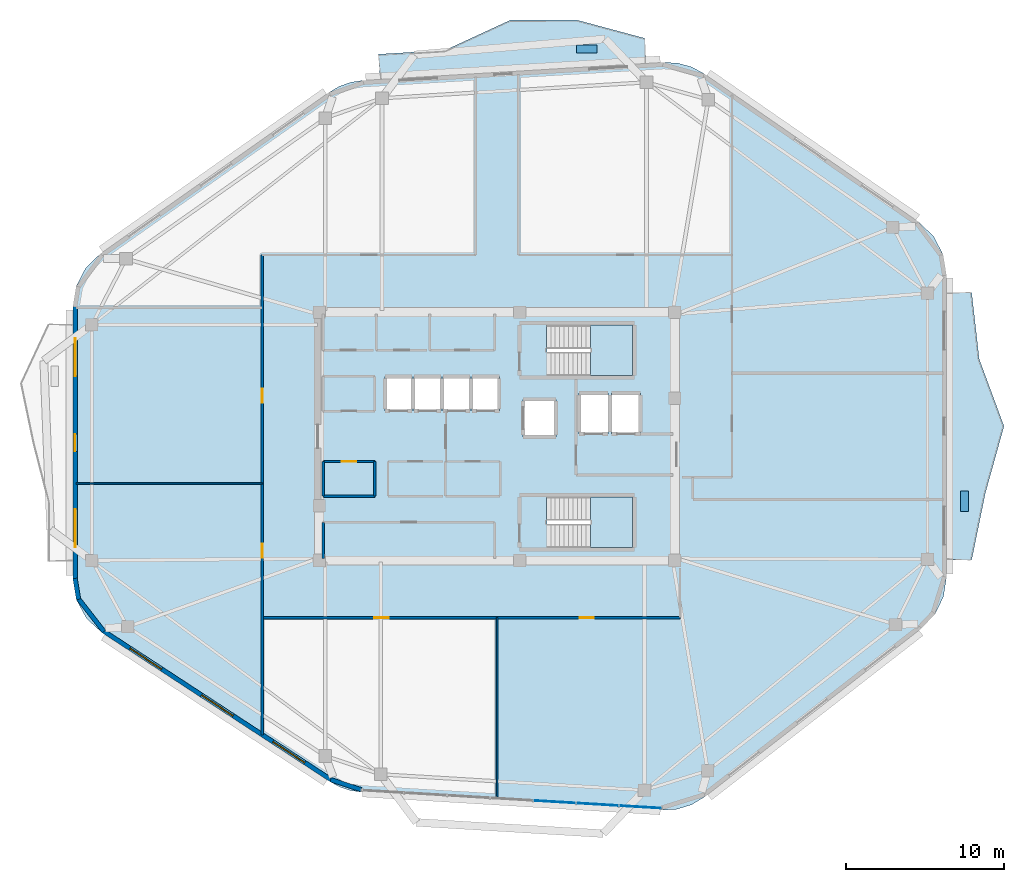
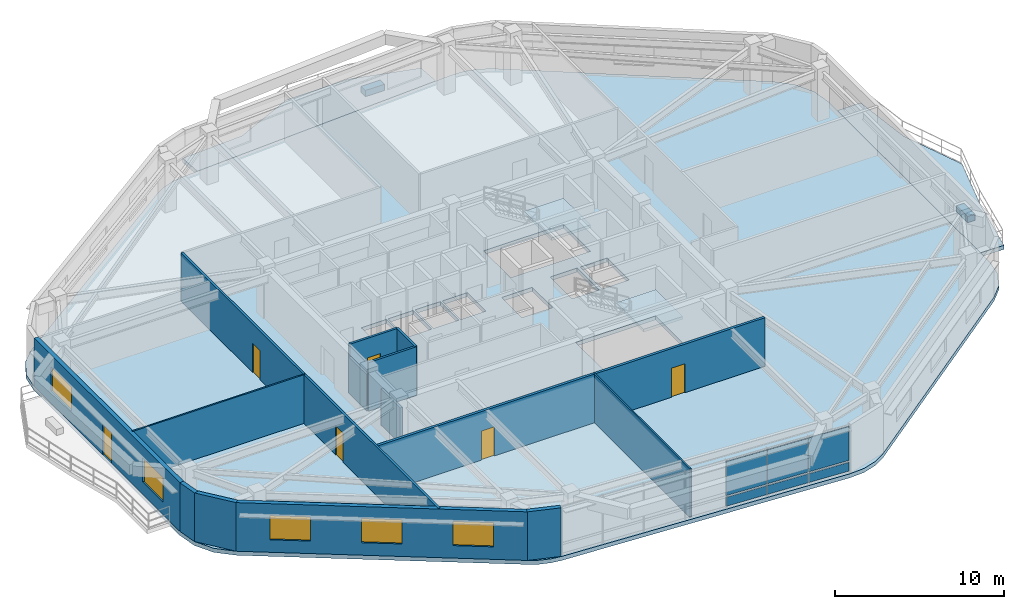
# One storey, part 6 of 12: 14 walls, 8 plates, 6 doors, 5 slabs, 5 windows, 11 openings, 3 elements without a shape of their own.
"""IFC4 building model written with IfcOpenShell, lengths in metres."""

from ifc_helpers import new_model, si_unit, direction, frame, frame_2d, origin, origin_2d, place, context, subcontext, project, spatial, polyline, rectangle, outline, extrude, material, layer, layer_set, type_object, element, fill, aggregate, save


model = new_model("IFC4")

# Units and contexts
model_context = context("Model", 3, precision=1e-05, world=origin(), true_north=direction((0.0, 1.0)))
body_context = subcontext(model_context, "Body", "Model", "MODEL_VIEW")
ifc_project = project(units=[si_unit("LENGTHUNIT", "METRE"), si_unit("AREAUNIT", "SQUARE_METRE"), si_unit("VOLUMEUNIT", "CUBIC_METRE"), si_unit("PLANEANGLEUNIT", "RADIAN"), si_unit("MASSUNIT", "GRAM", prefix="KILO")], contexts=[model_context])

# Site, building, storey
site_placement = place(None, origin())
site = spatial("IfcSite", under=ifc_project, at=site_placement, CompositionType="ELEMENT")
building_placement = place(site_placement, origin())
building = spatial("IfcBuilding", under=site, at=building_placement, Name="Zulverin Broadcast Headquarters", CompositionType="ELEMENT")
storey_placement = place(building_placement, frame((0.0, 0.0, 232.60009765625)))
storey = spatial("IfcBuildingStorey", under=building, at=storey_placement, Name="L59", CompositionType="ELEMENT", Elevation=232.60009765625)

# Curtain wall, plates
ifc_material_1 = material(Name="High-zone solar-control unitised curtain wall", Category="aluminium")
curtain_wall_type = type_object("IfcCurtainWallType", Name="CW-TWR-UPP", PredefinedType="USERDEFINED", material=ifc_material_1)
curtain_wall_placement = place(storey_placement, origin())
curtain_wall = element("IfcCurtainWall", 1, at=curtain_wall_placement, inside=storey, type_object=curtain_wall_type, Name="L59 Unitised Curtain Wall CW-L59-E1", ObjectType="UNITISED CURTAIN WALL", PredefinedType="USERDEFINED")
ifc_material_2 = material(Name="Low-E double-glazed pale-silver vision glass", Category="glass")
ifc_layer_1 = layer(ifc_material_2, 0.035888671875, Name="Low-E double-glazed pale-silver vision glass", Category="glass")
ifc_layer_set_1 = layer_set([ifc_layer_1], Name="Low-E double-glazed pale-silver vision glass")
plate_type_1 = type_object("IfcPlateType", Name="CW-PNL-GLZ", PredefinedType="CURTAIN_PANEL", material=ifc_layer_set_1)
plate_1_placement = place(storey_placement, frame((40.639892578125, 2.020263671875, 0.9072265625), z_axis=(0.0, 0.0, 1.0), x_axis=(0.998202681386, -0.059928347834, 0.0)))
plate_1 = element("IfcPlate", 2, at=plate_1_placement, type_object=plate_type_1, Name="CW-L59-E1 Vision Panel 04", PredefinedType="CURTAIN_PANEL", context=body_context, shape_type="SweptSolid", body=[
    extrude(rectangle(XDim=2.682861328125, YDim=0.035888671875, at=origin_2d()), origin(), (0.0, 0.0, 1.0), 2.462646484375),
])
plate_2_placement = place(storey_placement, frame((43.35791015625, 1.857177734375, 0.9072265625), z_axis=(0.0, 0.0, 1.0), x_axis=(0.998202681386, -0.059928347834, 0.0)))
plate_2 = element("IfcPlate", 3, at=plate_2_placement, type_object=plate_type_1, Name="CW-L59-E1 Vision Panel 05", PredefinedType="CURTAIN_PANEL", context=body_context, shape_type="SweptSolid", body=[
    extrude(rectangle(XDim=2.682861328125, YDim=0.035888671875, at=origin_2d()), origin(), (0.0, 0.0, 1.0), 2.462646484375),
])
plate_3_placement = place(storey_placement, frame((46.07568359375, 1.694091796875, 0.9072265625), z_axis=(0.0, 0.0, 1.0), x_axis=(0.998202681386, -0.059928347834, 0.0)))
plate_3 = element("IfcPlate", 4, at=plate_3_placement, type_object=plate_type_1, Name="CW-L59-E1 Vision Panel 06", PredefinedType="CURTAIN_PANEL", context=body_context, shape_type="SweptSolid", body=[
    extrude(rectangle(XDim=2.682861328125, YDim=0.035888671875, at=origin_2d()), origin(), (0.0, 0.0, 1.0), 2.462646484375),
])
ifc_material_3 = material(Name="Insulated brushed pale-aluminium spandrel cassette", Category="aluminium")
ifc_layer_2 = layer(ifc_material_3, 0.050048828125, Name="Insulated brushed pale-aluminium spandrel cassette", Category="aluminium")
ifc_layer_set_2 = layer_set([ifc_layer_2], Name="Insulated brushed pale-aluminium spandrel cassette")
plate_type_2 = type_object("IfcPlateType", Name="CW-PNL-SPN", PredefinedType="CURTAIN_PANEL", material=ifc_layer_set_2)
plate_4_placement = place(storey_placement, frame((40.639892578125, 2.020263671875, 0.1396484375), z_axis=(0.0, 0.0, 1.0), x_axis=(0.998202681386, -0.059928347834, 0.0)))
plate_4 = element("IfcPlate", 5, at=plate_4_placement, type_object=plate_type_2, Name="CW-L59-E1 Spandrel Cassette 04", PredefinedType="CURTAIN_PANEL", context=body_context, shape_type="SweptSolid", body=[
    extrude(rectangle(XDim=2.682861328125, YDim=0.050048828125, at=origin_2d()), origin(), (0.0, 0.0, 1.0), 0.637451171875),
])
plate_5_placement = place(storey_placement, frame((43.35791015625, 1.857177734375, 0.1396484375), z_axis=(0.0, 0.0, 1.0), x_axis=(0.998202681386, -0.059928347834, 0.0)))
plate_5 = element("IfcPlate", 6, at=plate_5_placement, type_object=plate_type_2, Name="CW-L59-E1 Spandrel Cassette 05", PredefinedType="CURTAIN_PANEL", context=body_context, shape_type="SweptSolid", body=[
    extrude(rectangle(XDim=2.682861328125, YDim=0.050048828125, at=origin_2d()), origin(), (0.0, 0.0, 1.0), 0.637451171875),
])
plate_6_placement = place(storey_placement, frame((46.07568359375, 1.694091796875, 0.1396484375), z_axis=(0.0, 0.0, 1.0), x_axis=(0.998202681386, -0.059928347834, 0.0)))
plate_6 = element("IfcPlate", 7, at=plate_6_placement, type_object=plate_type_2, Name="CW-L59-E1 Spandrel Cassette 06", PredefinedType="CURTAIN_PANEL", context=body_context, shape_type="SweptSolid", body=[
    extrude(rectangle(XDim=2.682861328125, YDim=0.050048828125, at=origin_2d()), origin(), (0.0, 0.0, 1.0), 0.637451171875),
])
aggregate(curtain_wall, [plate_4, plate_1, plate_5, plate_2, plate_6, plate_3])

# Plates
ifc_material_4 = material(Name="Precast concrete C45/55", Category="concrete")
ifc_layer_3 = layer(ifc_material_4, 0.449951171875, Name="Precast concrete C45/55", Category="concrete")
ifc_layer_set_3 = layer_set([ifc_layer_3], Name="Precast concrete C45/55")
plate_type_3 = type_object("IfcPlateType", Name="PT-01_PRECAST_GFRC_TREE_PLANTER", PredefinedType="USERDEFINED", material=ifc_layer_set_3)
for number, where, z_axis, x_axis, name in (
    (8, (66.64990234375, 21.0908203125, -0.0048828125), (0.0, 0.0, 1.0), (0.0, 1.0, 0.0), "L59 Precast GFRC Tree Planter BAL_E"),
    (9, (42.6767578125, 49.7744140625, -0.0048828125), (0.0, 0.0, 1.0), (1.0, 0.0, 0.0), "L59 Precast GFRC Tree Planter BAL_N"),
):
    element("IfcPlate", number, at=place(storey_placement, frame(where, z_axis=z_axis, x_axis=x_axis)), inside=storey, type_object=plate_type_3, Name=name, ObjectType="PLANTER", PredefinedType="USERDEFINED", context=body_context, shape_type="SweptSolid", body=[
        extrude(rectangle(XDim=1.300048828125, YDim=0.5, at=origin_2d()), origin(), (0.0, 0.0, 1.0), 0.449951171875),
    ])

# Slabs
ifc_material_5 = material(Name="Concrete C40/50", Category="concrete")
ifc_layer_4 = layer(ifc_material_5, 0.2900390625, Name="Concrete C40/50", Category="concrete")
ifc_layer_set_4 = layer_set([ifc_layer_4], Name="Concrete C40/50")
slab_type_1 = type_object("IfcSlabType", Name="SLB-BAL-290", PredefinedType="FLOOR", material=ifc_layer_set_4)
slab_1_placement = place(storey_placement, frame((0.0, 0.0, -0.2900390625)))
element("IfcSlab", 10, at=slab_1_placement, inside=storey, type_object=slab_type_1, Name="L59 Cantilevered Planted Balcony Slab BAL_E", PredefinedType="FLOOR", context=body_context, shape_type="SweptSolid", body=[
    extrude(outline(polyline([(65.5, 34.32568359375), (65.5, 17.357666015625), (67.10009765625, 17.357666015625), (67.967529296875, 21.599609375), (69.14990234375, 25.841796875), (67.581298828125, 30.083740234375), (67.10009765625, 34.32568359375), (65.5, 34.32568359375)])), origin(), (0.0, 0.0, 1.0), 0.2900390625),
])
slab_2_placement = place(storey_placement, frame((0.0, 0.0, -0.2900390625)))
element("IfcSlab", 11, at=slab_2_placement, inside=storey, type_object=slab_type_1, Name="L59 Cantilevered Planted Balcony Slab BAL_N", PredefinedType="FLOOR", context=body_context, shape_type="SweptSolid", body=[
    extrude(outline(polyline([(29.5791015625, 47.835693359375), (46.45947265625, 48.849365234375), (46.363525390625, 50.4462890625), (42.05859375, 51.602783203125), (37.824462890625, 51.58740234375), (33.703125, 49.686279296875), (29.483154296875, 49.43310546875), (29.5791015625, 47.835693359375)])), origin(), (0.0, 0.0, 1.0), 0.2900390625),
])

# Stair, slab
stair_type = type_object("IfcStairType", Name="ST-CORE-1500", PredefinedType="HALF_TURN_STAIR", material=ifc_material_5)
stair_1_placement = place(storey_placement, origin())
stair_1 = element("IfcStair", 12, at=stair_1_placement, inside=storey, type_object=stair_type, Name="L59 Core Exit Stair ST-1", PredefinedType="HALF_TURN_STAIR")
ifc_layer_5 = layer(ifc_material_5, 0.199951171875, Name="Concrete C40/50", Category="concrete")
ifc_layer_set_5 = layer_set([ifc_layer_5], Name="Concrete C40/50")
slab_type_2 = type_object("IfcSlabType", Name="SLB-ST-LND200", PredefinedType="LANDING", material=ifc_layer_set_5)
slab_3_placement = place(storey_placement, frame((0.0, 0.0, 1.699951171875)))
slab_3 = element("IfcSlab", 13, at=slab_3_placement, type_object=slab_type_2, Name="ST-1 landing 1", PredefinedType="LANDING", context=body_context, shape_type="SweptSolid", body=[
    extrude(outline(polyline([(42.929931640625, 29.050048828125), (45.60009765625, 29.050048828125), (45.60009765625, 32.25), (42.929931640625, 32.25), (42.929931640625, 29.050048828125)])), origin(), (0.0, 0.0, 1.0), 0.199951171875),
])
aggregate(stair_1, [slab_3])

stair_2_placement = place(storey_placement, origin())
stair_2 = element("IfcStair", 14, at=stair_2_placement, inside=storey, type_object=stair_type, Name="L59 Core Exit Stair ST-2", PredefinedType="HALF_TURN_STAIR")
slab_4_placement = place(storey_placement, frame((0.0, 0.0, 1.699951171875)))
slab_4 = element("IfcSlab", 15, at=slab_4_placement, type_object=slab_type_2, Name="ST-2 landing 1", PredefinedType="LANDING", context=body_context, shape_type="SweptSolid", body=[
    extrude(outline(polyline([(42.929931640625, 18.14990234375), (45.60009765625, 18.14990234375), (45.60009765625, 21.35009765625), (42.929931640625, 21.35009765625), (42.929931640625, 18.14990234375)])), origin(), (0.0, 0.0, 1.0), 0.199951171875),
])
aggregate(stair_2, [slab_4])

# Slab
ifc_layer_6 = layer(ifc_material_5, 0.2900390625, Name="Concrete C40/50", Category="concrete")
ifc_layer_set_6 = layer_set([ifc_layer_6], Name="Concrete C40/50")
slab_type_3 = type_object("IfcSlabType", Name="SLB-TWR-290", PredefinedType="FLOOR", material=ifc_layer_set_6)
slab_5_placement = place(storey_placement, frame((0.0, 0.0, -0.2900390625)))
element("IfcSlab", 16, at=slab_5_placement, inside=storey, type_object=slab_type_3, Name="L59 Main Structural Floor Slab", PredefinedType="FLOOR", context=body_context, shape_type="SweptSolid", body=[
    extrude(outline(polyline([(26.405029296875, 3.295166015625), (27.029296875, 2.96044921875), (27.70166015625, 2.738037109375), (28.402099609375, 2.634765625), (47.427490234375, 1.49267578125), (48.40869140625, 1.5517578125), (49.347412109375, 1.842529296875), (50.18994140625, 2.348388671875), (63.91650390625, 13.02099609375), (64.7685546875, 13.92041015625), (65.312744140625, 15.033203125), (65.5, 16.2578125), (65.5, 35.42578125), (65.289306640625, 36.723388671875), (64.6787109375, 37.887451171875), (63.73095703125, 38.798583984375), (50.13427734375, 48.1953125), (49.3359375, 48.625244140625), (48.462890625, 48.869140625), (47.557373046875, 48.915283203125), (28.48095703125, 47.77001953125), (27.73291015625, 47.655029296875), (27.0185546875, 47.404541015625), (26.362548828125, 47.027099609375), (11.8359375, 36.775146484375), (10.9052734375, 35.865478515625), (10.306396484375, 34.710205078125), (10.10009765625, 33.42529296875), (10.10009765625, 16.168701171875), (10.322021484375, 14.83740234375), (10.96435546875, 13.650390625), (11.957275390625, 12.736328125), (26.405029296875, 3.295166015625)]), holes=[polyline([(40.155029296875, 30.75), (40.130126953125, 30.75), (40.130126953125, 32.25), (45.60009765625, 32.25), (45.60009765625, 29.050048828125), (40.155029296875, 29.050048828125), (40.155029296875, 30.75)]), polyline([(40.155029296875, 19.85009765625), (40.130126953125, 19.85009765625), (40.130126953125, 21.35009765625), (45.60009765625, 21.35009765625), (45.60009765625, 18.14990234375), (40.155029296875, 18.14990234375), (40.155029296875, 19.85009765625)]), polyline([(29.89990234375, 26.800048828125), (31.6201171875, 26.800048828125), (31.6201171875, 29.0), (29.89990234375, 29.0), (29.89990234375, 26.800048828125)]), polyline([(31.739990234375, 26.800048828125), (33.4599609375, 26.800048828125), (33.4599609375, 29.0), (31.739990234375, 29.0), (31.739990234375, 26.800048828125)]), polyline([(33.580078125, 26.800048828125), (35.300048828125, 26.800048828125), (35.300048828125, 29.0), (33.580078125, 29.0), (33.580078125, 26.800048828125)]), polyline([(35.419921875, 26.800048828125), (37.139892578125, 26.800048828125), (37.139892578125, 29.0), (35.419921875, 29.0), (35.419921875, 26.800048828125)]), polyline([(42.199951171875, 25.35009765625), (44.050048828125, 25.35009765625), (44.050048828125, 27.949951171875), (42.199951171875, 27.949951171875), (42.199951171875, 25.35009765625)]), polyline([(44.25, 25.35009765625), (46.10009765625, 25.35009765625), (46.10009765625, 27.949951171875), (44.25, 27.949951171875), (44.25, 25.35009765625)]), polyline([(38.64990234375, 25.14990234375), (40.75, 25.14990234375), (40.75, 27.550048828125), (38.64990234375, 27.550048828125), (38.64990234375, 25.14990234375)])]), origin(), (0.0, 0.0, 1.0), 0.2900390625),
])

# Wall, openings, door, windows
ifc_material_6 = material(Name="Insulated pale-metal clad concrete spandrel C40/50", Category="concrete")
ifc_layer_7 = layer(ifc_material_6, 0.280029296875, Name="Insulated pale-metal clad concrete spandrel C40/50", Category="concrete")
ifc_layer_set_7 = layer_set([ifc_layer_7], Name="Insulated pale-metal clad concrete spandrel C40/50")
wall_type_1 = type_object("IfcWallType", Name="WL-EXT-280", PredefinedType="STANDARD", material=ifc_layer_set_7)
wall_1_placement = place(storey_placement, frame((10.239990234375, 33.42529296875, 0.0), z_axis=(0.0, 0.0, 1.0), x_axis=(0.0, -1.0, 0.0)))
wall_1 = element("IfcWall", 17, at=wall_1_placement, inside=storey, type_object=wall_type_1, Name="L59 Pale-Metal Clad Spandrel Wall 7", PredefinedType="STANDARD", context=body_context, shape_type="SweptSolid", body=[
    extrude(rectangle(XDim=17.256591796875, YDim=0.280029296875, at=frame_2d((8.62841796875, 0.0))), origin(), (0.0, 0.0, 1.0), 3.510009765625),
])
opening_1_placement = place(wall_1_placement, frame((8.078369140625, 0.0, 0.0)))
opening_1 = element("IfcOpeningElement", 18, at=opening_1_placement, cuts=wall_1, Name="Opening D-L59-TR7", PredefinedType="OPENING", context=body_context, shape_type="SweptSolid", body=[
    extrude(rectangle(XDim=1.10009765625, YDim=2.199951171875, at=frame_2d((0.550048828125, 1.10009765625))), frame((0.0, 0.14990234375, 0.0), z_axis=(0.0, -1.0, 0.0), x_axis=(1.0, 0.0, 0.0)), (0.0, 0.0, 1.0), 0.300048828125),
])
opening_2_placement = place(wall_1_placement, frame((2.009521484375, 0.0, 0.89990234375)))
opening_2 = element("IfcOpeningElement", 19, at=opening_2_placement, cuts=wall_1, Name="Opening W-L59-E71", PredefinedType="OPENING", context=body_context, shape_type="SweptSolid", body=[
    extrude(rectangle(XDim=2.39990234375, YDim=1.75, at=frame_2d((1.199951171875, 0.875))), frame((0.0, 0.14990234375, 0.0), z_axis=(0.0, -1.0, 0.0), x_axis=(1.0, 0.0, 0.0)), (0.0, 0.0, 1.0), 0.300048828125),
])
opening_3_placement = place(wall_1_placement, frame((12.84716796875, 0.0, 0.89990234375)))
opening_3 = element("IfcOpeningElement", 20, at=opening_3_placement, cuts=wall_1, Name="Opening W-L59-E72", PredefinedType="OPENING", context=body_context, shape_type="SweptSolid", body=[
    extrude(rectangle(XDim=2.39990234375, YDim=1.75, at=frame_2d((1.199951171875, 0.875))), frame((0.0, 0.14990234375, 0.0), z_axis=(0.0, -1.0, 0.0), x_axis=(1.0, 0.0, 0.0)), (0.0, 0.0, 1.0), 0.300048828125),
])
ifc_material_7 = material(Name="Thermally broken aluminium glazed", Category="aluminium")
door_type_1 = type_object("IfcDoorType", Name="DR-TERR-1100", OperationType="SINGLE_SWING_RIGHT", PredefinedType="DOOR", material=ifc_material_7)
door_1_placement = place(opening_1_placement, origin())
door_1 = element("IfcDoor", 21, at=door_1_placement, inside=storey, type_object=door_type_1, Name="L59 Planted Terrace Glazed Access Door 7", OperationType="SINGLE_SWING_RIGHT", OverallHeight=2.199951171875, OverallWidth=1.10009765625, PredefinedType="DOOR", context=body_context, shape_type="SweptSolid", body=[
    extrude(rectangle(XDim=1.10009765625, YDim=2.199951171875, at=frame_2d((0.550048828125, 1.10009765625))), frame((0.0, 0.02490234375, 0.0), z_axis=(0.0, -1.0, 0.0), x_axis=(1.0, 0.0, 0.0)), (0.0, 0.0, 1.0), 0.050048828125),
])
fill(opening_1, door_1)
ifc_material_8 = material(Name="Pale anodized aluminium frame with solar-control low-E double glazing", Category="aluminium")
window_type = type_object("IfcWindowType", Name="WIN-RIB-2400", PartitioningType="SINGLE_PANEL", PredefinedType="WINDOW", material=ifc_material_8)
window_1_placement = place(opening_2_placement, origin())
window_1 = element("IfcWindow", 22, at=window_1_placement, inside=storey, type_object=window_type, Name="L59 Ribbon Glazing Window 7 1", OverallHeight=1.75, OverallWidth=2.39990234375, PartitioningType="SINGLE_PANEL", PredefinedType="WINDOW", context=body_context, shape_type="SweptSolid", body=[
    extrude(rectangle(XDim=2.39990234375, YDim=1.75, at=frame_2d((1.199951171875, 0.875))), frame((0.0, 0.030029296875, 0.0), z_axis=(0.0, -1.0, 0.0), x_axis=(1.0, 0.0, 0.0)), (0.0, 0.0, 1.0), 0.06005859375),
])
fill(opening_2, window_1)
window_2_placement = place(opening_3_placement, origin())
window_2 = element("IfcWindow", 23, at=window_2_placement, inside=storey, type_object=window_type, Name="L59 Ribbon Glazing Window 7 2", OverallHeight=1.75, OverallWidth=2.39990234375, PartitioningType="SINGLE_PANEL", PredefinedType="WINDOW", context=body_context, shape_type="SweptSolid", body=[
    extrude(rectangle(XDim=2.39990234375, YDim=1.75, at=frame_2d((1.199951171875, 0.875))), frame((0.0, 0.030029296875, 0.0), z_axis=(0.0, -1.0, 0.0), x_axis=(1.0, 0.0, 0.0)), (0.0, 0.0, 1.0), 0.06005859375),
])
fill(opening_3, window_2)

# Wall, openings, windows
wall_2_placement = place(storey_placement, frame((12.03369140625, 12.853515625, 0.0), z_axis=(0.0, 0.0, 1.0), x_axis=(0.837118352984, -0.547021812269, 0.0)))
wall_2 = element("IfcWall", 24, at=wall_2_placement, inside=storey, type_object=wall_type_1, Name="L59 Pale-Metal Clad Spandrel Wall 8", PredefinedType="STANDARD", context=body_context, shape_type="SweptSolid", body=[
    extrude(rectangle(XDim=17.25927734375, YDim=0.280029296875, at=frame_2d((8.629638671875, 0.0))), origin(), (0.0, 0.0, 1.0), 3.510009765625),
])
opening_4_placement = place(wall_2_placement, frame((2.010009765625, 0.0, 0.89990234375)))
opening_4 = element("IfcOpeningElement", 25, at=opening_4_placement, cuts=wall_2, Name="Opening W-L59-E81", PredefinedType="OPENING", context=body_context, shape_type="SweptSolid", body=[
    extrude(rectangle(XDim=2.39990234375, YDim=1.75, at=frame_2d((1.199951171875, 0.875))), frame((0.0, 0.14990234375, 0.0), z_axis=(0.0, -1.0, 0.0), x_axis=(1.0, 0.0, 0.0)), (0.0, 0.0, 1.0), 0.300048828125),
])
opening_5_placement = place(wall_2_placement, frame((7.4296875, 0.0, 0.89990234375)))
opening_5 = element("IfcOpeningElement", 26, at=opening_5_placement, cuts=wall_2, Name="Opening W-L59-E82", PredefinedType="OPENING", context=body_context, shape_type="SweptSolid", body=[
    extrude(rectangle(XDim=2.39990234375, YDim=1.75, at=frame_2d((1.199951171875, 0.875))), frame((0.0, 0.14990234375, 0.0), z_axis=(0.0, -1.0, 0.0), x_axis=(1.0, 0.0, 0.0)), (0.0, 0.0, 1.0), 0.300048828125),
])
opening_6_placement = place(wall_2_placement, frame((12.849365234375, 0.0, 0.89990234375)))
opening_6 = element("IfcOpeningElement", 27, at=opening_6_placement, cuts=wall_2, Name="Opening W-L59-E83", PredefinedType="OPENING", context=body_context, shape_type="SweptSolid", body=[
    extrude(rectangle(XDim=2.39990234375, YDim=1.75, at=frame_2d((1.199951171875, 0.875))), frame((0.0, 0.14990234375, 0.0), z_axis=(0.0, -1.0, 0.0), x_axis=(1.0, 0.0, 0.0)), (0.0, 0.0, 1.0), 0.300048828125),
])
window_3_placement = place(opening_4_placement, origin())
window_3 = element("IfcWindow", 28, at=window_3_placement, inside=storey, type_object=window_type, Name="L59 Ribbon Glazing Window 8 1", OverallHeight=1.75, OverallWidth=2.39990234375, PartitioningType="SINGLE_PANEL", PredefinedType="WINDOW", context=body_context, shape_type="SweptSolid", body=[
    extrude(rectangle(XDim=2.39990234375, YDim=1.75, at=frame_2d((1.199951171875, 0.875))), frame((0.0, 0.030029296875, 0.0), z_axis=(0.0, -1.0, 0.0), x_axis=(1.0, 0.0, 0.0)), (0.0, 0.0, 1.0), 0.06005859375),
])
fill(opening_4, window_3)
window_4_placement = place(opening_5_placement, origin())
window_4 = element("IfcWindow", 29, at=window_4_placement, inside=storey, type_object=window_type, Name="L59 Ribbon Glazing Window 8 2", OverallHeight=1.75, OverallWidth=2.39990234375, PartitioningType="SINGLE_PANEL", PredefinedType="WINDOW", context=body_context, shape_type="SweptSolid", body=[
    extrude(rectangle(XDim=2.39990234375, YDim=1.75, at=frame_2d((1.199951171875, 0.875))), frame((0.0, 0.030029296875, 0.0), z_axis=(0.0, -1.0, 0.0), x_axis=(1.0, 0.0, 0.0)), (0.0, 0.0, 1.0), 0.06005859375),
])
fill(opening_5, window_4)
window_5_placement = place(opening_6_placement, origin())
window_5 = element("IfcWindow", 30, at=window_5_placement, inside=storey, type_object=window_type, Name="L59 Ribbon Glazing Window 8 3", OverallHeight=1.75, OverallWidth=2.39990234375, PartitioningType="SINGLE_PANEL", PredefinedType="WINDOW", context=body_context, shape_type="SweptSolid", body=[
    extrude(rectangle(XDim=2.39990234375, YDim=1.75, at=frame_2d((1.199951171875, 0.875))), frame((0.0, 0.030029296875, 0.0), z_axis=(0.0, -1.0, 0.0), x_axis=(1.0, 0.0, 0.0)), (0.0, 0.0, 1.0), 0.06005859375),
])
fill(opening_6, window_5)

# Walls
wall_3_placement = place(storey_placement, frame((10.238037109375, 16.191650390625, 0.0), z_axis=(0.0, 0.0, 1.0), x_axis=(0.164604311367, -0.986359681191, 0.0)))
element("IfcWall", 31, at=wall_3_placement, inside=storey, type_object=wall_type_1, Name="L59 Wind-Shaped Corner Spandrel Wall 7-1", PredefinedType="STANDARD", context=body_context, shape_type="SweptSolid", body=[
    extrude(rectangle(XDim=1.349609375, YDim=0.280029296875, at=frame_2d((0.6748046875, 0.0))), origin(), (0.0, 0.0, 1.0), 3.510009765625),
])
wall_4_placement = place(storey_placement, frame((10.4326171875, 14.92333984375, 0.0), z_axis=(0.0, 0.0, 1.0), x_axis=(0.614181852676, -0.78916452774, 0.0)))
element("IfcWall", 32, at=wall_4_placement, inside=storey, type_object=wall_type_1, Name="L59 Wind-Shaped Corner Spandrel Wall 7-2", PredefinedType="STANDARD", context=body_context, shape_type="SweptSolid", body=[
    extrude(rectangle(XDim=2.662109375, YDim=0.280029296875, at=frame_2d((1.3310546875, 0.0))), origin(), (0.0, 0.0, 1.0), 3.510009765625),
])
wall_5_placement = place(storey_placement, frame((26.44921875, 3.427978515625, 0.0), z_axis=(0.0, 0.0, 1.0), x_axis=(0.949447063244, -0.313927179609, 0.0)))
element("IfcWall", 33, at=wall_5_placement, inside=storey, type_object=wall_type_1, Name="L59 Wind-Shaped Corner Spandrel Wall 8-1", PredefinedType="STANDARD", context=body_context, shape_type="SweptSolid", body=[
    extrude(rectangle(XDim=2.038330078125, YDim=0.280029296875, at=frame_2d((1.01904296875, 0.0))), origin(), (0.0, 0.0, 1.0), 3.510009765625),
])
ifc_material_9 = material(Name="Fire-rated acoustic laminated glass screen", Category="glass")
ifc_layer_8 = layer(ifc_material_9, 0.10009765625, Name="Fire-rated acoustic laminated glass screen", Category="glass")
ifc_layer_set_8 = layer_set([ifc_layer_8], Name="Fire-rated acoustic laminated glass screen")
wall_type_2 = type_object("IfcWallType", Name="WL-GLAZ-100", PredefinedType="PARTITIONING", material=ifc_layer_set_8)
wall_6_placement = place(storey_placement, frame((37.0, 2.323486328125, 0.0), z_axis=(0.0, 0.0, 1.0), x_axis=(0.0, 1.0, 0.0)))
element("IfcWall", 34, at=wall_6_placement, inside=storey, type_object=wall_type_2, Name="L59 Room Partition Wall RP-05", PredefinedType="PARTITIONING", context=body_context, shape_type="SweptSolid", body=[
    extrude(rectangle(XDim=11.37646484375, YDim=0.10009765625, at=frame_2d((5.688232421875, 0.0))), origin(), (0.0, 0.0, 1.0), 3.510009765625),
])
wall_7_placement = place(storey_placement, frame((10.304931640625, 22.199951171875, 0.0), z_axis=(0.0, 0.0, 1.0), x_axis=(1.0, 0.0, 0.0)))
element("IfcWall", 35, at=wall_7_placement, inside=storey, type_object=wall_type_2, Name="L59 Room Partition Wall RP-10", PredefinedType="PARTITIONING", context=body_context, shape_type="SweptSolid", body=[
    extrude(rectangle(XDim=11.795166015625, YDim=0.10009765625, at=frame_2d((5.8974609375, 0.0))), origin(), (0.0, 0.0, 1.0), 3.510009765625),
])
ifc_material_10 = material(Name="Fire-rated gypsum stud partition", Category="gypsum")
ifc_layer_9 = layer(ifc_material_10, 0.14990234375, Name="Fire-rated gypsum stud partition", Category="gypsum")
ifc_layer_set_9 = layer_set([ifc_layer_9], Name="Fire-rated gypsum stud partition")
wall_type_3 = type_object("IfcWallType", Name="WL-PART-150", PredefinedType="PARTITIONING", material=ifc_layer_set_9)
wall_8_placement = place(storey_placement, frame((25.969970703125, 17.449951171875, 0.0), z_axis=(0.0, 0.0, 1.0), x_axis=(0.0, 1.0, 0.0)))
element("IfcWall", 36, at=wall_8_placement, inside=storey, type_object=wall_type_3, Name="L59 Core Female WC & Facilities Room West Wall", PredefinedType="PARTITIONING", context=body_context, shape_type="SweptSolid", body=[
    extrude(rectangle(XDim=2.300048828125, YDim=0.14990234375, at=frame_2d((1.14990234375, 0.0))), origin(), (0.0, 0.0, 1.0), 2.60986328125),
])
wall_9_placement = place(storey_placement, frame((25.969970703125, 21.39990234375, 0.0), z_axis=(0.0, 0.0, 1.0), x_axis=(1.0, 0.0, 0.0)))
element("IfcWall", 37, at=wall_9_placement, inside=storey, type_object=wall_type_3, Name="L59 Media Ingestion Server Room S Wall", PredefinedType="PARTITIONING", context=body_context, shape_type="SweptSolid", body=[
    extrude(rectangle(XDim=3.280029296875, YDim=0.14990234375, at=frame_2d((1.64013671875, 0.0))), origin(), (0.0, 0.0, 1.0), 3.510009765625),
])

# Wall, opening, door
wall_10_placement = place(storey_placement, frame((25.969970703125, 23.60009765625, 0.0), z_axis=(0.0, 0.0, 1.0), x_axis=(1.0, 0.0, 0.0)))
wall_10 = element("IfcWall", 38, at=wall_10_placement, inside=storey, type_object=wall_type_3, Name="L59 Media Ingestion Server Room N Wall", PredefinedType="PARTITIONING", context=body_context, shape_type="SweptSolid", body=[
    extrude(rectangle(XDim=3.280029296875, YDim=0.14990234375, at=frame_2d((1.64013671875, 0.0))), origin(), (0.0, 0.0, 1.0), 3.510009765625),
])
opening_7_placement = place(wall_10_placement, frame((1.18994140625, 0.0, 0.0)))
opening_7 = element("IfcOpeningElement", 39, at=opening_7_placement, cuts=wall_10, Name="Opening D-L59-RCLS", PredefinedType="OPENING", context=body_context, shape_type="SweptSolid", body=[
    extrude(rectangle(XDim=0.89990234375, YDim=2.10009765625, at=frame_2d((0.449951171875, 1.050048828125))), frame((0.0, 0.0849609375, 0.0), z_axis=(0.0, -1.0, 0.0), x_axis=(1.0, 0.0, 0.0)), (0.0, 0.0, 1.0), 0.169921875),
])
ifc_material_11 = material(Name="Powder-coated steel access leaf", Category="steel")
door_type_2 = type_object("IfcDoorType", Name="DR-RISER-900", OperationType="SINGLE_SWING_LEFT", PredefinedType="DOOR", material=ifc_material_11)
door_2_placement = place(opening_7_placement, origin())
door_2 = element("IfcDoor", 40, at=door_2_placement, inside=storey, type_object=door_type_2, Name="L59 Media Ingestion Server Room Door", OperationType="SINGLE_SWING_RIGHT", OverallHeight=2.10009765625, OverallWidth=0.89990234375, PredefinedType="DOOR", context=body_context, shape_type="SweptSolid", body=[
    extrude(rectangle(XDim=0.89990234375, YDim=2.10009765625, at=frame_2d((0.449951171875, 1.050048828125))), frame((0.0, 0.02490234375, 0.0), z_axis=(0.0, -1.0, 0.0), x_axis=(1.0, 0.0, 0.0)), (0.0, 0.0, 1.0), 0.050048828125),
])
fill(opening_7, door_2)

# Walls
wall_11_placement = place(storey_placement, frame((25.969970703125, 21.39990234375, 0.0), z_axis=(0.0, 0.0, 1.0), x_axis=(0.0, 1.0, 0.0)))
element("IfcWall", 41, at=wall_11_placement, inside=storey, type_object=wall_type_3, Name="L59 Media Ingestion Server Room W Wall", PredefinedType="PARTITIONING", context=body_context, shape_type="SweptSolid", body=[
    extrude(rectangle(XDim=2.2001953125, YDim=0.14990234375, at=frame_2d((1.10009765625, 0.0))), origin(), (0.0, 0.0, 1.0), 2.60986328125),
])
wall_12_placement = place(storey_placement, frame((29.25, 21.39990234375, 0.0), z_axis=(0.0, 0.0, 1.0), x_axis=(0.0, 1.0, 0.0)))
element("IfcWall", 42, at=wall_12_placement, inside=storey, type_object=wall_type_3, Name="L59 Media Ingestion Server Room E Wall", PredefinedType="PARTITIONING", context=body_context, shape_type="SweptSolid", body=[
    extrude(rectangle(XDim=2.2001953125, YDim=0.14990234375, at=frame_2d((1.10009765625, 0.0))), origin(), (0.0, 0.0, 1.0), 3.510009765625),
])

# Wall, openings, doors
wall_13_placement = place(storey_placement, frame((22.10009765625, 6.248291015625, 0.0), z_axis=(0.0, 0.0, 1.0), x_axis=(0.0, 1.0, 0.0)))
wall_13 = element("IfcWall", 43, at=wall_13_placement, inside=storey, type_object=wall_type_3, Name="L59 Gallery Partition Wall CG-07", PredefinedType="PARTITIONING", context=body_context, shape_type="SweptSolid", body=[
    extrude(rectangle(XDim=30.45166015625, YDim=0.14990234375, at=frame_2d((15.225830078125, 0.0))), origin(), (0.0, 0.0, 1.0), 3.510009765625),
])
opening_8_placement = place(wall_13_placement, frame((11.251708984375, 0.0, 0.0)))
opening_8 = element("IfcOpeningElement", 44, at=opening_8_placement, cuts=wall_13, Name="Opening D-L59-05", PredefinedType="OPENING", context=body_context, shape_type="SweptSolid", body=[
    extrude(rectangle(XDim=0.89990234375, YDim=2.10009765625, at=frame_2d((0.449951171875, 1.050048828125))), frame((0.0, 0.0849609375, 0.0), z_axis=(0.0, -1.0, 0.0), x_axis=(1.0, 0.0, 0.0)), (0.0, 0.0, 1.0), 0.169921875),
])
opening_9_placement = place(wall_13_placement, frame((21.07666015625, 0.0, 0.0)))
opening_9 = element("IfcOpeningElement", 45, at=opening_9_placement, cuts=wall_13, Name="Opening D-L59-06", PredefinedType="OPENING", context=body_context, shape_type="SweptSolid", body=[
    extrude(rectangle(XDim=0.89990234375, YDim=2.10009765625, at=frame_2d((0.449951171875, 1.050048828125))), frame((0.0, 0.0849609375, 0.0), z_axis=(0.0, -1.0, 0.0), x_axis=(1.0, 0.0, 0.0)), (0.0, 0.0, 1.0), 0.169921875),
])
ifc_material_12 = material(Name="Fire-rated hardwood veneer timber leaf", Category="wood")
door_type_3 = type_object("IfcDoorType", Name="DR-ROOM-900", OperationType="SINGLE_SWING_RIGHT", PredefinedType="DOOR", material=ifc_material_12)
door_3_placement = place(opening_8_placement, origin())
door_3 = element("IfcDoor", 46, at=door_3_placement, inside=storey, type_object=door_type_3, Name="L59 Hospitality Club Bar Door", OperationType="SINGLE_SWING_RIGHT", OverallHeight=2.10009765625, OverallWidth=0.89990234375, PredefinedType="DOOR", context=body_context, shape_type="SweptSolid", body=[
    extrude(rectangle(XDim=0.89990234375, YDim=2.10009765625, at=frame_2d((0.449951171875, 1.050048828125))), frame((0.0, 0.02490234375, 0.0), z_axis=(0.0, -1.0, 0.0), x_axis=(1.0, 0.0, 0.0)), (0.0, 0.0, 1.0), 0.050048828125),
])
fill(opening_8, door_3)
door_4_placement = place(opening_9_placement, origin())
door_4 = element("IfcDoor", 47, at=door_4_placement, inside=storey, type_object=door_type_3, Name="L59 Celebrity Waiting Reception Door", OperationType="SINGLE_SWING_LEFT", OverallHeight=2.10009765625, OverallWidth=0.89990234375, PredefinedType="DOOR", context=body_context, shape_type="SweptSolid", body=[
    extrude(rectangle(XDim=0.89990234375, YDim=2.10009765625, at=frame_2d((0.449951171875, 1.050048828125))), frame((0.0, 0.02490234375, 0.0), z_axis=(0.0, -1.0, 0.0), x_axis=(1.0, 0.0, 0.0)), (0.0, 0.0, 1.0), 0.050048828125),
])
fill(opening_9, door_4)

ifc_material_13 = material(Name="Fire-rated acoustic stud wall", Category="gypsum")
ifc_layer_10 = layer(ifc_material_13, 0.175048828125, Name="Fire-rated acoustic stud wall", Category="gypsum")
ifc_layer_set_10 = layer_set([ifc_layer_10], Name="Fire-rated acoustic stud wall")
wall_type_4 = type_object("IfcWallType", Name="WL-PART-175", PredefinedType="PARTITIONING", material=ifc_layer_set_10)
wall_14_placement = place(storey_placement, frame((22.10009765625, 13.699951171875, 0.0), z_axis=(0.0, 0.0, 1.0), x_axis=(1.0, 0.0, 0.0)))
wall_14 = element("IfcWall", 48, at=wall_14_placement, inside=storey, type_object=wall_type_4, Name="L59 Gallery Partition Wall CG-08", PredefinedType="PARTITIONING", context=body_context, shape_type="SweptSolid", body=[
    extrude(rectangle(XDim=26.5, YDim=0.175048828125, at=frame_2d((13.25, 0.0))), origin(), (0.0, 0.0, 1.0), 3.510009765625),
])
opening_10_placement = place(wall_14_placement, frame((7.1201171875, 0.0, 0.0)))
opening_10 = element("IfcOpeningElement", 49, at=opening_10_placement, cuts=wall_14, Name="Opening D-L59-03", PredefinedType="OPENING", context=body_context, shape_type="SweptSolid", body=[
    extrude(rectangle(XDim=0.89990234375, YDim=2.10009765625, at=frame_2d((0.449951171875, 1.050048828125))), frame((0.0, 0.097412109375, 0.0), z_axis=(0.0, -1.0, 0.0), x_axis=(1.0, 0.0, 0.0)), (0.0, 0.0, 1.0), 0.195068359375),
])
opening_11_placement = place(wall_14_placement, frame((20.1298828125, 0.0, 0.0)))
opening_11 = element("IfcOpeningElement", 50, at=opening_11_placement, cuts=wall_14, Name="Opening D-L59-04", PredefinedType="OPENING", context=body_context, shape_type="SweptSolid", body=[
    extrude(rectangle(XDim=0.89990234375, YDim=2.10009765625, at=frame_2d((0.449951171875, 1.050048828125))), frame((0.0, 0.097412109375, 0.0), z_axis=(0.0, -1.0, 0.0), x_axis=(1.0, 0.0, 0.0)), (0.0, 0.0, 1.0), 0.195068359375),
])
door_5_placement = place(opening_10_placement, origin())
door_5 = element("IfcDoor", 51, at=door_5_placement, inside=storey, type_object=door_type_3, Name="L59 Production Briefing Room Door", OperationType="SINGLE_SWING_RIGHT", OverallHeight=2.10009765625, OverallWidth=0.89990234375, PredefinedType="DOOR", context=body_context, shape_type="SweptSolid", body=[
    extrude(rectangle(XDim=0.89990234375, YDim=2.10009765625, at=frame_2d((0.449951171875, 1.050048828125))), frame((0.0, 0.02490234375, 0.0), z_axis=(0.0, -1.0, 0.0), x_axis=(1.0, 0.0, 0.0)), (0.0, 0.0, 1.0), 0.050048828125),
])
fill(opening_10, door_5)
door_6_placement = place(opening_11_placement, origin())
door_6 = element("IfcDoor", 52, at=door_6_placement, inside=storey, type_object=door_type_3, Name="L59 Broadcast Preview Suite Door", OperationType="SINGLE_SWING_LEFT", OverallHeight=2.10009765625, OverallWidth=0.89990234375, PredefinedType="DOOR", context=body_context, shape_type="SweptSolid", body=[
    extrude(rectangle(XDim=0.89990234375, YDim=2.10009765625, at=frame_2d((0.449951171875, 1.050048828125))), frame((0.0, 0.02490234375, 0.0), z_axis=(0.0, -1.0, 0.0), x_axis=(1.0, 0.0, 0.0)), (0.0, 0.0, 1.0), 0.050048828125),
])
fill(opening_11, door_6)

save(model, "model.ifc")
